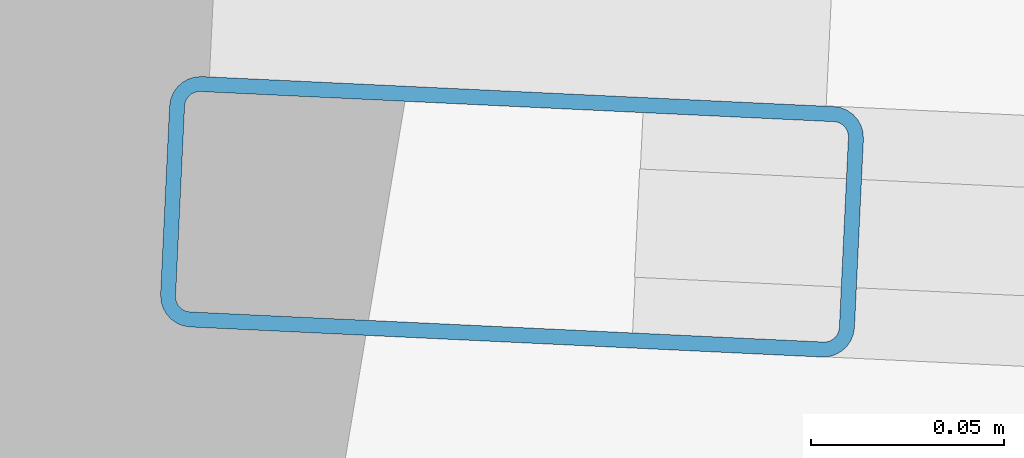
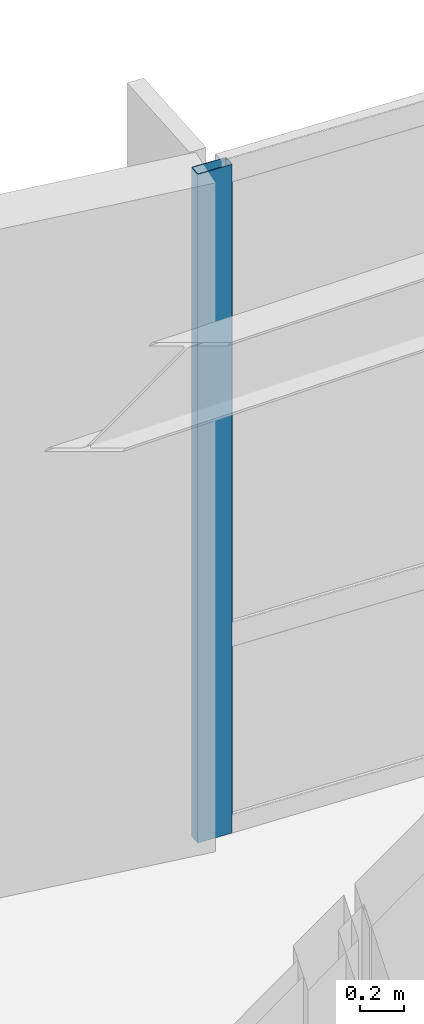
# One storey, part 6 of 16: 1 member, 1 element without a shape of its own.
"""IFC4 building model written with IfcOpenShell, lengths in metres."""

from ifc_helpers import new_model, si_unit, direction, frame, origin, origin_2d, place, context, subcontext, project, spatial, hollow_rectangle, extrude, material, layer, layer_set, material_profile, profile_set, type_object, element, aggregate, save


model = new_model("IFC4")

# Units and contexts
model_context = context("Model", 3, precision=1e-05, world=origin(), true_north=direction((0.0, 1.0)))
body_context = subcontext(model_context, "Body", "Model", "MODEL_VIEW")
ifc_project = project(units=[si_unit("LENGTHUNIT", "METRE"), si_unit("AREAUNIT", "SQUARE_METRE"), si_unit("VOLUMEUNIT", "CUBIC_METRE"), si_unit("PLANEANGLEUNIT", "RADIAN"), si_unit("MASSUNIT", "GRAM", prefix="KILO")], contexts=[model_context])

# Site, building, storey
site_placement = place(None, origin())
site = spatial("IfcSite", under=ifc_project, at=site_placement, CompositionType="ELEMENT")
building_placement = place(site_placement, origin())
building = spatial("IfcBuilding", under=site, at=building_placement, Name="Varnakote Quay Hospital", CompositionType="ELEMENT")
storey_placement = place(building_placement, frame((0.0, 0.0, 268.39990234375)))
storey = spatial("IfcBuildingStorey", under=building, at=storey_placement, Name="L66", CompositionType="ELEMENT", Elevation=268.39990234375)

# Curtain wall, member
ifc_material_1 = material(Name="Anodised aluminium 6063-T6 Bronze", Category="aluminium")
ifc_layer = layer(ifc_material_1, 0.235107421875)
ifc_layer_set = layer_set([ifc_layer], Name="Anodised aluminium 6063-T6 Bronze")
curtain_wall_type = type_object("IfcCurtainWallType", Name="CW-SYS-5", PredefinedType="NOTDEFINED", material=ifc_layer_set)
curtain_wall_placement = place(storey_placement, origin())
curtain_wall = element("IfcCurtainWall", 1, at=curtain_wall_placement, inside=storey, type_object=curtain_wall_type, Name="L66 Unitised Bronze Curtain Wall 2", PredefinedType="NOTDEFINED")
ifc_material_2 = material(Name="Anodised aluminium 6063-T6 Bronze", Category="aluminium")
ifc_material_profile = material_profile(ifc_material_2, hollow_rectangle(XDim=0.06494140625, YDim=0.179931640625, WallThickness=0.00390625, InnerFilletRadius=0.00390625, OuterFilletRadius=0.008056640625, at=origin_2d()), Name="CW-MULL-180x65")
ifc_profile_set = profile_set([ifc_material_profile], Name="Anodised aluminium 6063-T6 Bronze")
member_type = type_object("IfcMemberType", Name="CW-MULL-180x65", PredefinedType="MULLION", material=ifc_profile_set)
member_placement = place(storey_placement, frame((28.71142578125, 29.967041015625, 0.0), z_axis=(0.0, 0.0, 1.0), x_axis=(-0.04749674026, -0.998871392955, 0.0)))
member = element("IfcMember", 2, at=member_placement, type_object=member_type, Name="-5-L66-2 mullion 4", PredefinedType="MULLION", context=body_context, shape_type="SweptSolid", body=[
    extrude(hollow_rectangle(XDim=0.06494140625, YDim=0.179931640625, WallThickness=0.00390625, InnerFilletRadius=0.00390625, OuterFilletRadius=0.008056640625, at=origin_2d()), origin(), (0.0, 0.0, 1.0), 3.710205078125),
])
aggregate(curtain_wall, [member])

save(model, "model.ifc")
